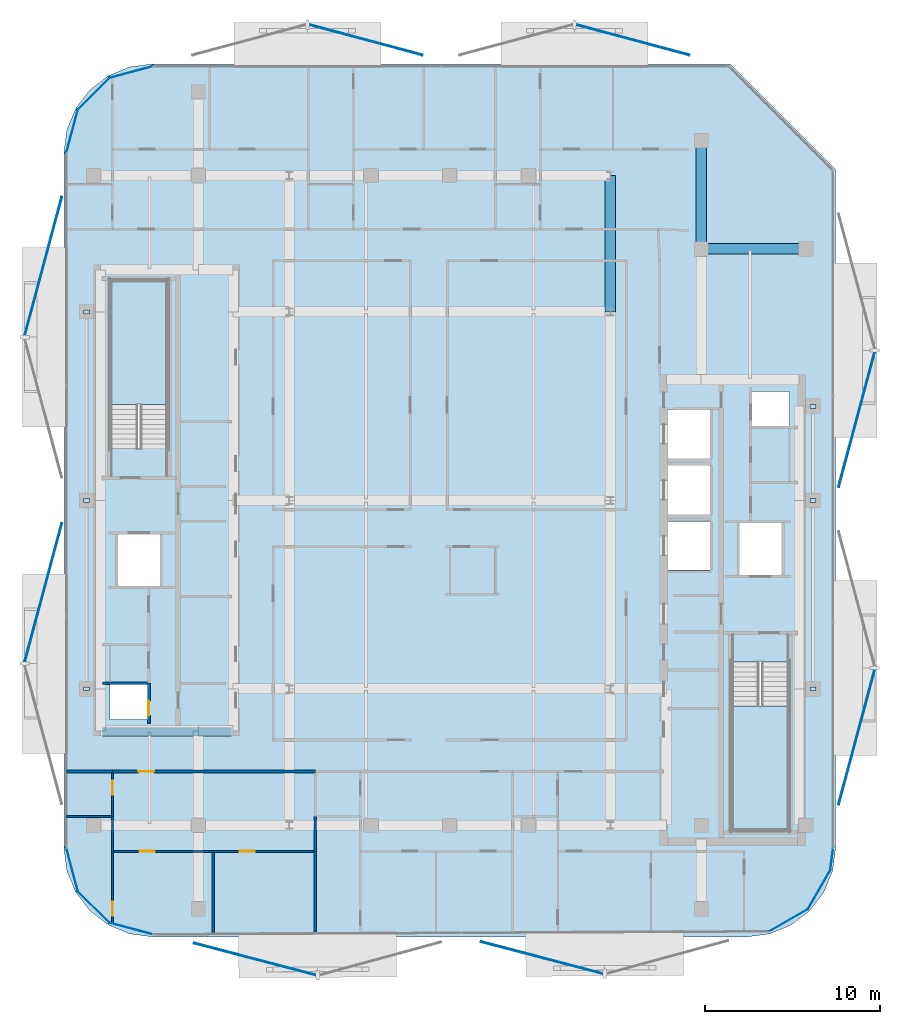
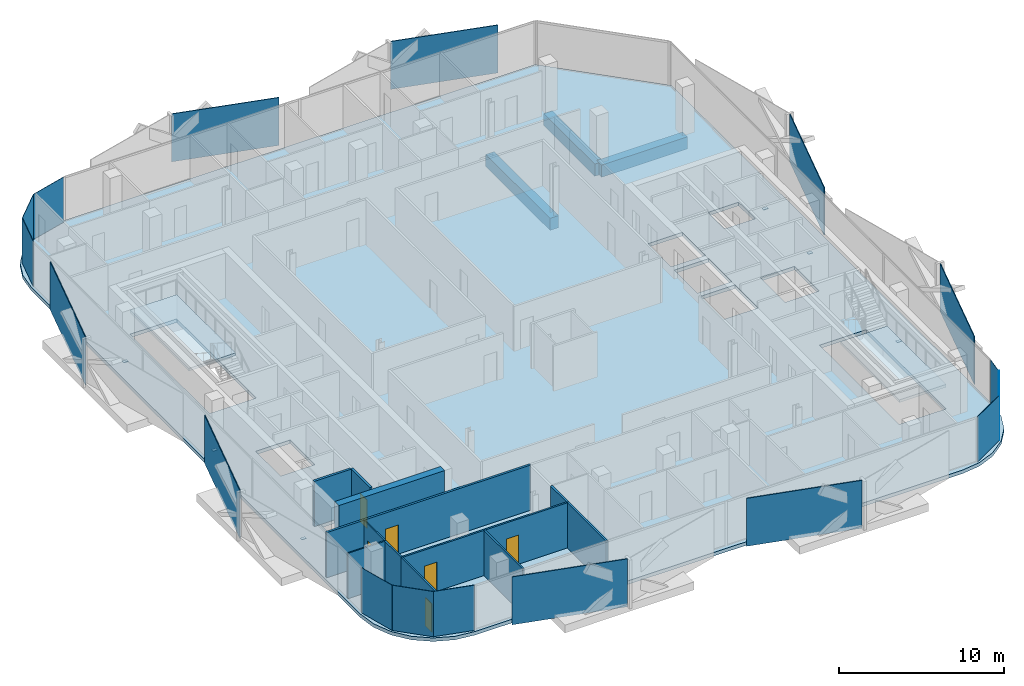
# One storey, part 2 of 16: 23 plates, 14 walls, 6 doors, 3 beams, 3 slabs, 6 openings, 2 elements without a shape of their own.
"""IFC4 building model written with IfcOpenShell, lengths in metres."""

from ifc_helpers import new_model, si_unit, direction, frame, frame_2d, origin, origin_2d, place, context, subcontext, project, spatial, polyline, rectangle, outline, extrude, material, layer, layer_set, material_profile, profile_set, type_object, element, fill, aggregate, save


model = new_model("IFC4")

# Units and contexts
model_context = context("Model", 3, precision=1e-05, world=origin(), true_north=direction((0.0, 1.0)))
body_context = subcontext(model_context, "Body", "Model", "MODEL_VIEW")
ifc_project = project(units=[si_unit("LENGTHUNIT", "METRE"), si_unit("AREAUNIT", "SQUARE_METRE"), si_unit("VOLUMEUNIT", "CUBIC_METRE"), si_unit("PLANEANGLEUNIT", "RADIAN"), si_unit("MASSUNIT", "GRAM", prefix="KILO")], contexts=[model_context])

# Site, building, storey
site_placement = place(None, origin())
site = spatial("IfcSite", under=ifc_project, at=site_placement, CompositionType="ELEMENT")
building_placement = place(site_placement, origin())
building = spatial("IfcBuilding", under=site, at=building_placement, Name="Khairoan Windgate Tower", CompositionType="ELEMENT")
storey_placement = place(building_placement, frame((0.0, 0.0, 247.60009765625)))
storey = spatial("IfcBuildingStorey", under=building, at=storey_placement, Name="L58", CompositionType="ELEMENT", Elevation=247.60009765625)

# Beams
ifc_material_1 = material(Name="Concrete C50/60", Category="concrete")
ifc_material_profile = material_profile(ifc_material_1, rectangle(XDim=0.60009765625, YDim=0.89990234375, at=origin_2d()))
ifc_profile_set = profile_set([ifc_material_profile], Name="Concrete C50/60")
beam_type = type_object("IfcBeamType", Name="Beam B-RC1 RC600x900", PredefinedType="BEAM", material=ifc_profile_set)
beam_1_placement = place(storey_placement, frame((14.39990234375, 14.39990234375, -0.710205078125), z_axis=(1.0, 0.0, 0.0), x_axis=(0.0, 1.0, 0.0)))
element("IfcBeam", 1, at=beam_1_placement, inside=storey, type_object=beam_type, Name="L58 E-W Primary Girder 21", PredefinedType="BEAM", context=body_context, shape_type="SweptSolid", body=[
    extrude(rectangle(XDim=0.60009765625, YDim=0.89990234375, at=origin_2d()), origin(), (0.0, 0.0, 1.0), 6.0),
])
beam_2_placement = place(storey_placement, frame((9.199951171875, 10.800048828125, -0.710205078125), z_axis=(0.0, 1.0, 0.0), x_axis=(-1.0, 0.0, 0.0)))
element("IfcBeam", 2, at=beam_2_placement, inside=storey, type_object=beam_type, Name="L58 N-S Primary Beam 49", PredefinedType="BEAM", context=body_context, shape_type="SweptSolid", body=[
    extrude(rectangle(XDim=0.60009765625, YDim=0.89990234375, at=origin_2d()), origin(), (0.0, 0.0, 1.0), 7.800048828125),
])
beam_3_placement = place(storey_placement, frame((14.39990234375, 14.39990234375, -0.710205078125), z_axis=(0.0, 1.0, 0.0), x_axis=(-1.0, 0.0, 0.0)))
element("IfcBeam", 3, at=beam_3_placement, inside=storey, type_object=beam_type, Name="L58 N-S Primary Beam 53", PredefinedType="BEAM", context=body_context, shape_type="SweptSolid", body=[
    extrude(rectangle(XDim=0.60009765625, YDim=0.89990234375, at=origin_2d()), origin(), (0.0, 0.0, 1.0), 6.2001953125),
])

# Plates
ifc_material_2 = material(Name="Low-E Solar Control Laminated Glass", Category="glass")
ifc_layer_1 = layer(ifc_material_2, 0.030029296875, Name="Low-E Solar Control Laminated Glass")
ifc_layer_set_1 = layer_set([ifc_layer_1], Name="Low-E Solar Control Laminated Glass")
plate_type_1 = type_object("IfcPlateType", Name="Aerodynamic Wind-Corner Curved Glazing Plate", PredefinedType="USERDEFINED", material=ifc_layer_set_1)
plate_1_placement = place(storey_placement, frame((-18.235107421875, -24.527099609375, 0.0), z_axis=(0.0, 0.0, 1.0), x_axis=(-0.966061211211, 0.258313252067, 0.0)))
element("IfcPlate", 4, at=plate_1_placement, inside=storey, type_object=plate_type_1, Name="L58 Aerodynamic Wind-Corner Curved Glazing Panel 2", ObjectType="GLAZING PANEL", PredefinedType="USERDEFINED", context=body_context, shape_type="SweptSolid", body=[
    extrude(rectangle(XDim=2.6162109375, YDim=0.030029296875, at=origin_2d()), origin(), (0.0, 0.0, 1.0), 3.340087890625),
])
plate_2_placement = place(storey_placement, frame((-20.386962890625, -23.286865234375, 0.0), z_axis=(0.0, 0.0, 1.0), x_axis=(-0.707106781187, 0.707106781187, 0.0)))
element("IfcPlate", 5, at=plate_2_placement, inside=storey, type_object=plate_type_1, Name="L58 Aerodynamic Wind-Corner Curved Glazing Panel 3", ObjectType="GLAZING PANEL", PredefinedType="USERDEFINED", context=body_context, shape_type="SweptSolid", body=[
    extrude(rectangle(XDim=2.606689453125, YDim=0.030029296875, at=origin_2d()), origin(), (0.0, 0.0, 1.0), 3.340087890625),
])
for number, where, z_axis, x_axis, name in (
    (6, (-21.627197265625, -21.135009765625, 0.0), (0.0, 0.0, 1.0), (-0.258313252067, 0.966061211211, 0.0), "L58 Aerodynamic Wind-Corner Curved Glazing Panel 4"),
    (7, (-21.627197265625, 21.135009765625, 0.0), (0.0, 0.0, 1.0), (0.258313252067, 0.966061211211, 0.0), "L58 Aerodynamic Wind-Corner Curved Glazing Panel 6"),
):
    element("IfcPlate", number, at=place(storey_placement, frame(where, z_axis=z_axis, x_axis=x_axis)), inside=storey, type_object=plate_type_1, Name=name, ObjectType="GLAZING PANEL", PredefinedType="USERDEFINED", context=body_context, shape_type="SweptSolid", body=[
        extrude(rectangle(XDim=2.6162109375, YDim=0.030029296875, at=origin_2d()), origin(), (0.0, 0.0, 1.0), 3.340087890625),
    ])
plate_3_placement = place(storey_placement, frame((-20.386962890625, 23.286865234375, 0.0), z_axis=(0.0, 0.0, 1.0), x_axis=(0.707106781187, 0.707106781187, 0.0)))
element("IfcPlate", 8, at=plate_3_placement, inside=storey, type_object=plate_type_1, Name="L58 Aerodynamic Wind-Corner Curved Glazing Panel 7", ObjectType="GLAZING PANEL", PredefinedType="USERDEFINED", context=body_context, shape_type="SweptSolid", body=[
    extrude(rectangle(XDim=2.606689453125, YDim=0.030029296875, at=origin_2d()), origin(), (0.0, 0.0, 1.0), 3.340087890625),
])
plate_4_placement = place(storey_placement, frame((-18.235107421875, 24.527099609375, 0.0), z_axis=(0.0, 0.0, 1.0), x_axis=(0.966061211211, 0.258313252067, 0.0)))
element("IfcPlate", 9, at=plate_4_placement, inside=storey, type_object=plate_type_1, Name="L58 Aerodynamic Wind-Corner Curved Glazing Panel 8", ObjectType="GLAZING PANEL", PredefinedType="USERDEFINED", context=body_context, shape_type="SweptSolid", body=[
    extrude(rectangle(XDim=2.6162109375, YDim=0.030029296875, at=origin_2d()), origin(), (0.0, 0.0, 1.0), 3.340087890625),
])
plate_5_placement = place(storey_placement, frame((21.875, -20.537109375, 0.0), z_axis=(0.0, 0.0, 1.0), x_axis=(-0.13052619222, -0.991444861374, 0.0)))
element("IfcPlate", 10, at=plate_5_placement, inside=storey, type_object=plate_type_1, Name="L58 Aerodynamic Wind-Corner Curved Glazing Panel 12", ObjectType="GLAZING PANEL", PredefinedType="USERDEFINED", context=body_context, shape_type="SweptSolid", body=[
    extrude(rectangle(XDim=1.343994140625, YDim=0.030029296875, at=origin_2d()), origin(), (0.0, 0.0, 1.0), 3.340087890625),
])
for number, where, z_axis, x_axis, name in (
    (11, (21.148193359375, -22.294921875, 0.0), (0.0, 0.0, 1.0), (-0.5, -0.866025403784, 0.0), "L58 Aerodynamic Wind-Corner Curved Glazing Panel 13"),
    (12, (19.39501953125, -24.048095703125, 0.0), (0.0, 0.0, 1.0), (-0.866025403784, -0.5, 0.0), "L58 Aerodynamic Wind-Corner Curved Glazing Panel 14"),
):
    element("IfcPlate", number, at=place(storey_placement, frame(where, z_axis=z_axis, x_axis=x_axis)), inside=storey, type_object=plate_type_1, Name=name, ObjectType="GLAZING PANEL", PredefinedType="USERDEFINED", context=body_context, shape_type="SweptSolid", body=[
        extrude(rectangle(XDim=2.606689453125, YDim=0.030029296875, at=origin_2d()), origin(), (0.0, 0.0, 1.0), 3.340087890625),
    ])
ifc_material_3 = material(Name="Steel S355", Category="steel")
ifc_layer_2 = layer(ifc_material_3, 0.0400390625, Name="Steel S355")
ifc_layer_set_2 = layer_set([ifc_layer_2], Name="Steel S355")
plate_type_2 = type_object("IfcPlateType", Name="Hollow Section End-Cap Plate PL-CAP40", PredefinedType="SHEET", material=ifc_layer_set_2)
for number, where, z_axis, x_axis, name in (
    (13, (-20.800048828125, -10.784912109375, -0.43017578125), (0.0, 0.0, 1.0), (0.0, 1.0, 0.0), "BM-SP-L58-028 steel end-cap plate 1"),
    (14, (-20.800048828125, -0.014892578125, -0.43017578125), (0.0, 0.0, 1.0), (0.0, 1.0, 0.0), "BM-SP-L58-028 steel end-cap plate 2"),
    (15, (-20.800048828125, 10.784912109375, -0.43017578125), (0.0, 0.0, 1.0), (0.0, 1.0, 0.0), "BM-SP-L58-029 steel end-cap plate 2"),
    (16, (20.800048828125, -10.784912109375, -0.43017578125), (0.0, 0.0, 1.0), (0.0, 1.0, 0.0), "BM-SP-L58-057 steel end-cap plate 1"),
    (17, (20.800048828125, -0.014892578125, -0.43017578125), (0.0, 0.0, 1.0), (0.0, 1.0, 0.0), "BM-SP-L58-057 steel end-cap plate 2"),
    (18, (20.800048828125, 5.385009765625, -0.43017578125), (0.0, 0.0, 1.0), (0.0, 1.0, 0.0), "BM-SP-L58-058 steel end-cap plate 2"),
):
    element("IfcPlate", number, at=place(storey_placement, frame(where, z_axis=z_axis, x_axis=x_axis)), inside=storey, type_object=plate_type_2, Name=name, PredefinedType="SHEET", context=body_context, shape_type="SweptSolid", body=[
        extrude(rectangle(XDim=0.219970703125, YDim=0.320068359375, at=origin_2d()), origin(), (0.0, 0.0, 1.0), 0.0400390625),
    ])
ifc_material_4 = material(Name="Anodised Bronze Aluminium 6063-T6", Category="aluminium")
ifc_layer_3 = layer(ifc_material_4, 0.054931640625, Name="Anodised Bronze Aluminium 6063-T6")
ifc_layer_set_3 = layer_set([ifc_layer_3], Name="Anodised Bronze Aluminium 6063-T6")
plate_type_3 = type_object("IfcPlateType", Name="Perforated Bronze Solar Screen Upper Panel BSP-2", PredefinedType="USERDEFINED", material=ifc_layer_set_3)
for number, where, z_axis, x_axis, name in (
    (19, (5.289306640625, -26.196533203125, -0.10009765625), (0.0, 0.0, 1.0), (-0.967179115616, 0.254095569259, 0.0), "L58 Perforated Bronze Solar Screen Panel 393R"),
    (20, (-11.14794921875, -26.27587890625, -0.10009765625), (0.0, 0.0, 1.0), (-0.967179115616, 0.254095569259, 0.0), "L58 Perforated Bronze Solar Screen Panel 394R"),
):
    element("IfcPlate", number, at=place(storey_placement, frame(where, z_axis=z_axis, x_axis=x_axis)), inside=storey, type_object=plate_type_3, Name=name, ObjectType="SCREEN", PredefinedType="USERDEFINED", context=body_context, shape_type="SweptSolid", body=[
        extrude(rectangle(XDim=7.23193359375, YDim=0.054931640625, at=origin_2d()), origin(), (0.0, 0.0, 1.0), 3.5400390625),
    ])
for number, where, z_axis, x_axis, name in (
    (21, (-23.275634765625, -5.283447265625, -0.10009765625), (0.0, 0.0, 1.0), (0.258819045103, 0.965925826289, 0.0), "L58 Perforated Bronze Solar Screen Panel 395R"),
    (22, (-23.275634765625, 13.4072265625, -0.10009765625), (0.0, 0.0, 1.0), (0.258819045103, 0.965925826289, 0.0), "L58 Perforated Bronze Solar Screen Panel 396R"),
):
    element("IfcPlate", number, at=place(storey_placement, frame(where, z_axis=z_axis, x_axis=x_axis)), inside=storey, type_object=plate_type_3, Name=name, ObjectType="SCREEN", PredefinedType="USERDEFINED", context=body_context, shape_type="SweptSolid", body=[
        extrude(rectangle(XDim=8.22412109375, YDim=0.054931640625, at=origin_2d()), origin(), (0.0, 0.0, 1.0), 3.5400390625),
    ])
for number, where, z_axis, x_axis, name in (
    (23, (-4.80908203125, 26.36962890625, -0.10009765625), (0.0, 0.0, 1.0), (0.965925826289, -0.258819045103, 0.0), "L58 Perforated Bronze Solar Screen Panel 397R"),
    (24, (10.477294921875, 26.36962890625, -0.10009765625), (0.0, 0.0, 1.0), (0.965925826289, -0.258819045103, 0.0), "L58 Perforated Bronze Solar Screen Panel 398R"),
):
    element("IfcPlate", number, at=place(storey_placement, frame(where, z_axis=z_axis, x_axis=x_axis)), inside=storey, type_object=plate_type_3, Name=name, ObjectType="SCREEN", PredefinedType="USERDEFINED", context=body_context, shape_type="SweptSolid", body=[
        extrude(rectangle(XDim=6.72607421875, YDim=0.054931640625, at=origin_2d()), origin(), (0.0, 0.0, 1.0), 3.5400390625),
    ])
for number, where, z_axis, x_axis, name in (
    (25, (23.304443359375, 4.634033203125, -0.10009765625), (0.0, 0.0, 1.0), (-0.258819045103, -0.965925826289, 0.0), "L58 Perforated Bronze Solar Screen Panel 399R"),
    (26, (23.304443359375, -13.55224609375, -0.10009765625), (0.0, 0.0, 1.0), (-0.258819045103, -0.965925826289, 0.0), "L58 Perforated Bronze Solar Screen Panel 400R"),
):
    element("IfcPlate", number, at=place(storey_placement, frame(where, z_axis=z_axis, x_axis=x_axis)), inside=storey, type_object=plate_type_3, Name=name, ObjectType="SCREEN", PredefinedType="USERDEFINED", context=body_context, shape_type="SweptSolid", body=[
        extrude(rectangle(XDim=8.001953125, YDim=0.054931640625, at=origin_2d()), origin(), (0.0, 0.0, 1.0), 3.5400390625),
    ])

# Stair, slab
ifc_material_5 = material(Name="Concrete C40/50", Category="concrete")
stair_type = type_object("IfcStairType", Name="Tower Core Dog-Leg Stair ST-T1 1560mm", PredefinedType="HALF_TURN_STAIR", material=ifc_material_5)
stair_1_placement = place(storey_placement, origin())
stair_1 = element("IfcStair", 27, at=stair_1_placement, inside=storey, type_object=stair_type, Name="L58 Stair ST1", PredefinedType="HALF_TURN_STAIR")
ifc_material_6 = material(Name="Concrete C40/50", Category="concrete")
ifc_layer_4 = layer(ifc_material_6, 0.199951171875, Name="Concrete C40/50")
ifc_layer_set_4 = layer_set([ifc_layer_4], Name="Concrete C40/50")
slab_type_1 = type_object("IfcSlabType", Name="Reinforced Concrete Stair Landing Slab STL-200", PredefinedType="LANDING", material=ifc_layer_set_4)
slab_1_placement = place(storey_placement, frame((0.0, 0.0, 1.599853515625)))
slab_1 = element("IfcSlab", 28, at=slab_1_placement, type_object=slab_type_1, Name="ST1 landing 1", PredefinedType="LANDING", context=body_context, shape_type="SweptSolid", body=[
    extrude(outline(polyline([(16.14990234375, -11.780029296875), (16.14990234375, -18.89990234375), (19.419921875, -18.89990234375), (19.419921875, -11.780029296875), (16.14990234375, -11.780029296875)])), origin(), (0.0, 0.0, 1.0), 0.199951171875),
])
aggregate(stair_1, [slab_1])

stair_2_placement = place(storey_placement, origin())
stair_2 = element("IfcStair", 29, at=stair_2_placement, inside=storey, type_object=stair_type, Name="L58 Stair ST2", PredefinedType="HALF_TURN_STAIR")
slab_2_placement = place(storey_placement, frame((0.0, 0.0, 1.599853515625)))
slab_2 = element("IfcSlab", 30, at=slab_2_placement, type_object=slab_type_1, Name="ST2 landing 1", PredefinedType="LANDING", context=body_context, shape_type="SweptSolid", body=[
    extrude(outline(polyline([(-16.14990234375, 5.47998046875), (-16.14990234375, 12.60009765625), (-19.419921875, 12.60009765625), (-19.419921875, 5.47998046875), (-16.14990234375, 5.47998046875)])), origin(), (0.0, 0.0, 1.0), 0.199951171875),
])
aggregate(stair_2, [slab_2])

# Slab
ifc_material_7 = material(Name="Concrete C40/50", Category="concrete")
ifc_layer_5 = layer(ifc_material_7, 0.260009765625, Name="Concrete C40/50")
ifc_layer_set_5 = layer_set([ifc_layer_5], Name="Concrete C40/50")
slab_type_2 = type_object("IfcSlabType", Name="Tower Composite Floor Slab FS2 260mm", PredefinedType="FLOOR", material=ifc_layer_set_5)
slab_3_placement = place(storey_placement, frame((0.0, 0.0, -0.260009765625)))
element("IfcSlab", 31, at=slab_3_placement, inside=storey, type_object=slab_type_2, Name="L58 Structural Floor Slab", PredefinedType="FLOOR", context=body_context, shape_type="SweptSolid", body=[
    extrude(outline(polyline([(17.0, -25.0), (18.320068359375, -24.826171875), (19.550048828125, -24.316650390625), (20.606201171875, -23.506103515625), (21.416748046875, -22.449951171875), (21.92626953125, -21.219970703125), (22.10009765625, -19.89990234375), (22.10009765625, 18.93994140625), (16.0400390625, 25.0), (-17.0, 25.0), (-18.320068359375, 24.826171875), (-19.550048828125, 24.316650390625), (-20.606201171875, 23.506103515625), (-21.416748046875, 22.449951171875), (-21.92626953125, 21.219970703125), (-22.10009765625, 19.89990234375), (-22.10009765625, -19.89990234375), (-21.92626953125, -21.219970703125), (-21.416748046875, -22.449951171875), (-20.606201171875, -23.506103515625), (-19.550048828125, -24.316650390625), (-18.320068359375, -24.826171875), (-17.0, -25.0), (17.0, -25.0)]), holes=[polyline([(16.14990234375, -9.260009765625), (16.14990234375, -18.89990234375), (19.419921875, -18.89990234375), (19.419921875, -9.260009765625), (16.14990234375, -9.260009765625)]), polyline([(-16.14990234375, 2.9599609375), (-16.14990234375, 12.60009765625), (-19.419921875, 12.60009765625), (-19.419921875, 2.9599609375), (-16.14990234375, 2.9599609375)]), polyline([(12.5, 2.39990234375), (14.89990234375, 2.39990234375), (14.89990234375, 5.199951171875), (12.5, 5.199951171875), (12.5, 2.39990234375)]), polyline([(12.5, -0.800048828125), (14.89990234375, -0.800048828125), (14.89990234375, 2.0), (12.5, 2.0), (12.5, -0.800048828125)]), polyline([(12.5, -4.0), (14.89990234375, -4.0), (14.89990234375, -1.199951171875), (12.5, -1.199951171875), (12.5, -4.0)]), polyline([(16.60009765625, -4.300048828125), (19.0, -4.300048828125), (19.0, -1.300048828125), (16.60009765625, -1.300048828125), (16.60009765625, -4.300048828125)]), polyline([(-19.0, -4.89990234375), (-16.60009765625, -4.89990234375), (-16.60009765625, -1.89990234375), (-19.0, -1.89990234375), (-19.0, -4.89990234375)]), polyline([(-19.449951171875, -12.550048828125), (-17.31005859375, -12.550048828125), (-17.31005859375, -10.550048828125), (-19.449951171875, -10.550048828125), (-19.449951171875, -12.550048828125)]), polyline([(17.31005859375, 4.25), (19.449951171875, 4.25), (19.449951171875, 6.25), (17.31005859375, 6.25), (17.31005859375, 4.25)])]), origin(), (0.0, 0.0, 1.0), 0.260009765625),
])

# Wall
ifc_material_8 = material(Name="Moisture-Resistant Gypsum Partition", Category="gypsum")
ifc_layer_6 = layer(ifc_material_8, 0.10009765625, Name="Moisture-Resistant Gypsum Partition")
ifc_layer_set_6 = layer_set([ifc_layer_6], Name="Moisture-Resistant Gypsum Partition")
wall_type_1 = type_object("IfcWallType", Name="Bathroom Wet-Area Partition Wall", PredefinedType="PARTITIONING", material=ifc_layer_set_6)
wall_1_placement = place(storey_placement, frame((-21.955078125, -18.10009765625, 0.0), z_axis=(0.0, 0.0, 1.0), x_axis=(1.0, 0.0, 0.0)))
element("IfcWall", 32, at=wall_1_placement, inside=storey, type_object=wall_type_1, Name="L58 Interior Partition 071", PredefinedType="PARTITIONING", context=body_context, shape_type="SweptSolid", body=[
    extrude(rectangle(XDim=2.594970703125, YDim=0.10009765625, at=frame_2d((1.29736328125, 0.0))), origin(), (0.0, 0.0, 1.0), 3.33984375),
])

# Wall, opening, door
wall_2_placement = place(storey_placement, frame((-19.31005859375, -18.10009765625, 0.0), z_axis=(0.0, 0.0, 1.0), x_axis=(0.0, 1.0, 0.0)))
wall_2 = element("IfcWall", 33, at=wall_2_placement, inside=storey, type_object=wall_type_1, Name="L58 Interior Partition 072", PredefinedType="PARTITIONING", context=body_context, shape_type="SweptSolid", body=[
    extrude(rectangle(XDim=2.5, YDim=0.10009765625, at=frame_2d((1.25, 0.0))), origin(), (0.0, 0.0, 1.0), 3.33984375),
])
opening_1_placement = place(wall_2_placement, frame((1.239990234375, 0.0, 0.0)))
opening_1 = element("IfcOpeningElement", 34, at=opening_1_placement, cuts=wall_2, Name="Opening ID-BTH", PredefinedType="OPENING", context=body_context, shape_type="SweptSolid", body=[
    extrude(rectangle(XDim=0.800048828125, YDim=2.10009765625, at=frame_2d((0.39990234375, 1.050048828125))), frame((0.0, 0.06005859375, 0.0), z_axis=(0.0, -1.0, 0.0), x_axis=(1.0, 0.0, 0.0)), (0.0, 0.0, 1.0), 0.1201171875),
])
ifc_material_9 = material(Name="Teak Veneer Timber Leaf", Category="wood")
door_type_1 = type_object("IfcDoorType", Name="Internal Bathroom Door ID-BTH 800x2100", OperationType="NOTDEFINED", PredefinedType="DOOR", material=ifc_material_9)
door_1_placement = place(opening_1_placement, origin())
door_1 = element("IfcDoor", 35, at=door_1_placement, inside=storey, type_object=door_type_1, Name="L58 L58-50-L58-52 Door", OperationType="SINGLE_SWING_RIGHT", OverallHeight=2.10009765625, OverallWidth=0.800048828125, PredefinedType="DOOR", context=body_context, shape_type="SweptSolid", body=[
    extrude(rectangle(XDim=0.800048828125, YDim=2.10009765625, at=frame_2d((0.39990234375, 1.050048828125))), frame((0.0, 0.02490234375, 0.0), z_axis=(0.0, -1.0, 0.0), x_axis=(1.0, 0.0, 0.0)), (0.0, 0.0, 1.0), 0.050048828125),
])
fill(opening_1, door_1)

# Walls
ifc_material_10 = material(Name="Acoustic Fire-Rated Gypsum Partition", Category="gypsum")
ifc_layer_7 = layer(ifc_material_10, 0.139892578125, Name="Acoustic Fire-Rated Gypsum Partition")
ifc_layer_set_7 = layer_set([ifc_layer_7], Name="Acoustic Fire-Rated Gypsum Partition")
wall_type_2 = type_object("IfcWallType", Name="Inter-Tenancy Compartment Wall", PredefinedType="PARTITIONING", material=ifc_layer_set_7)
wall_3_placement = place(storey_placement, frame((-7.699951171875, -20.10009765625, 0.0), z_axis=(0.0, 0.0, 1.0), x_axis=(0.0, 1.0, 0.0)))
element("IfcWall", 36, at=wall_3_placement, inside=storey, type_object=wall_type_2, Name="L58 Interior Partition 078", PredefinedType="PARTITIONING", context=body_context, shape_type="SweptSolid", body=[
    extrude(rectangle(XDim=2.0, YDim=0.139892578125, at=frame_2d((1.0, 0.0))), origin(), (0.0, 0.0, 1.0), 3.33984375),
])
wall_4_placement = place(storey_placement, frame((-7.699951171875, -24.810302734375, 0.0), z_axis=(0.0, 0.0, 1.0), x_axis=(0.0, 1.0, 0.0)))
element("IfcWall", 37, at=wall_4_placement, inside=storey, type_object=wall_type_2, Name="L58 Interior Partition 080", PredefinedType="PARTITIONING", context=body_context, shape_type="SweptSolid", body=[
    extrude(rectangle(XDim=4.710205078125, YDim=0.139892578125, at=frame_2d((2.35498046875, 0.0))), origin(), (0.0, 0.0, 1.0), 3.33984375),
])
ifc_material_11 = material(Name="Gypsum Stud Partition", Category="gypsum")
ifc_layer_8 = layer(ifc_material_11, 0.1201171875, Name="Gypsum Stud Partition")
ifc_layer_set_8 = layer_set([ifc_layer_8], Name="Gypsum Stud Partition")
wall_type_3 = type_object("IfcWallType", Name="Internal Room Partition Wall", PredefinedType="PARTITIONING", material=ifc_layer_set_8)
wall_5_placement = place(storey_placement, frame((-19.31005859375, -20.10009765625, 0.0), z_axis=(0.0, 0.0, 1.0), x_axis=(0.0, 1.0, 0.0)))
element("IfcWall", 38, at=wall_5_placement, inside=storey, type_object=wall_type_3, Name="L58 Interior Partition 073", PredefinedType="PARTITIONING", context=body_context, shape_type="SweptSolid", body=[
    extrude(rectangle(XDim=2.0, YDim=0.1201171875, at=frame_2d((1.0, 0.0))), origin(), (0.0, 0.0, 1.0), 3.33984375),
])

# Wall, opening, door
wall_6_placement = place(storey_placement, frame((-19.31005859375, -24.234619140625, 0.0), z_axis=(0.0, 0.0, 1.0), x_axis=(0.0, 1.0, 0.0)))
wall_6 = element("IfcWall", 39, at=wall_6_placement, inside=storey, type_object=wall_type_3, Name="L58 Interior Partition 074", PredefinedType="PARTITIONING", context=body_context, shape_type="SweptSolid", body=[
    extrude(rectangle(XDim=4.134521484375, YDim=0.1201171875, at=frame_2d((2.0673828125, 0.0))), origin(), (0.0, 0.0, 1.0), 3.33984375),
])
opening_2_placement = place(wall_6_placement, frame((0.4599609375, 0.0, 0.0)))
opening_2 = element("IfcOpeningElement", 40, at=opening_2_placement, cuts=wall_6, Name="Opening ID-BTH", PredefinedType="OPENING", context=body_context, shape_type="SweptSolid", body=[
    extrude(rectangle(XDim=0.800048828125, YDim=2.10009765625, at=frame_2d((0.39990234375, 1.050048828125))), frame((0.0, 0.070068359375, 0.0), z_axis=(0.0, -1.0, 0.0), x_axis=(1.0, 0.0, 0.0)), (0.0, 0.0, 1.0), 0.14013671875),
])
door_2_placement = place(opening_2_placement, origin())
door_2 = element("IfcDoor", 41, at=door_2_placement, inside=storey, type_object=door_type_1, Name="L58 L58-51-L58-53 Door", OperationType="SINGLE_SWING_LEFT", OverallHeight=2.10009765625, OverallWidth=0.800048828125, PredefinedType="DOOR", context=body_context, shape_type="SweptSolid", body=[
    extrude(rectangle(XDim=0.800048828125, YDim=2.10009765625, at=frame_2d((0.39990234375, 1.050048828125))), frame((0.0, 0.02490234375, 0.0), z_axis=(0.0, -1.0, 0.0), x_axis=(1.0, 0.0, 0.0)), (0.0, 0.0, 1.0), 0.050048828125),
])
fill(opening_2, door_2)

wall_7_placement = place(storey_placement, frame((-19.25, -20.10009765625, 0.0), z_axis=(0.0, 0.0, 1.0), x_axis=(1.0, 0.0, 0.0)))
wall_7 = element("IfcWall", 42, at=wall_7_placement, inside=storey, type_object=wall_type_3, Name="L58 Interior Partition 075", PredefinedType="PARTITIONING", context=body_context, shape_type="SweptSolid", body=[
    extrude(rectangle(XDim=5.705078125, YDim=0.1201171875, at=frame_2d((2.8525390625, 0.0))), origin(), (0.0, 0.0, 1.0), 3.33984375),
])
opening_3_placement = place(wall_7_placement, frame((1.492919921875, 0.0, 0.0)))
opening_3 = element("IfcOpeningElement", 43, at=opening_3_placement, cuts=wall_7, Name="Opening ID-RM", PredefinedType="OPENING", context=body_context, shape_type="SweptSolid", body=[
    extrude(rectangle(XDim=0.860107421875, YDim=2.14990234375, at=frame_2d((0.43017578125, 1.074951171875))), frame((0.0, 0.070068359375, 0.0), z_axis=(0.0, -1.0, 0.0), x_axis=(1.0, 0.0, 0.0)), (0.0, 0.0, 1.0), 0.14013671875),
])
ifc_material_12 = material(Name="Teak Veneer Timber Leaf", Category="wood")
door_type_2 = type_object("IfcDoorType", Name="Internal Bedroom and Office Door ID-RM 860x2150", OperationType="NOTDEFINED", PredefinedType="DOOR", material=ifc_material_12)
door_3_placement = place(opening_3_placement, origin())
door_3 = element("IfcDoor", 44, at=door_3_placement, inside=storey, type_object=door_type_2, Name="L58 L58-52-L58-53 Door", OperationType="SINGLE_SWING_RIGHT", OverallHeight=2.14990234375, OverallWidth=0.860107421875, PredefinedType="DOOR", context=body_context, shape_type="SweptSolid", body=[
    extrude(rectangle(XDim=0.860107421875, YDim=2.14990234375, at=frame_2d((0.43017578125, 1.074951171875))), frame((0.0, 0.02490234375, 0.0), z_axis=(0.0, -1.0, 0.0), x_axis=(1.0, 0.0, 0.0)), (0.0, 0.0, 1.0), 0.050048828125),
])
fill(opening_3, door_3)

wall_8_placement = place(storey_placement, frame((-13.544921875, -20.10009765625, 0.0), z_axis=(0.0, 0.0, 1.0), x_axis=(1.0, 0.0, 0.0)))
wall_8 = element("IfcWall", 45, at=wall_8_placement, inside=storey, type_object=wall_type_3, Name="L58 Interior Partition 076", PredefinedType="PARTITIONING", context=body_context, shape_type="SweptSolid", body=[
    extrude(rectangle(XDim=5.77490234375, YDim=0.1201171875, at=frame_2d((2.887451171875, 0.0))), origin(), (0.0, 0.0, 1.0), 3.33984375),
])
opening_4_placement = place(wall_8_placement, frame((1.51123046875, 0.0, 0.0)))
opening_4 = element("IfcOpeningElement", 46, at=opening_4_placement, cuts=wall_8, Name="Opening ID-RM", PredefinedType="OPENING", context=body_context, shape_type="SweptSolid", body=[
    extrude(rectangle(XDim=0.860107421875, YDim=2.14990234375, at=frame_2d((0.43017578125, 1.074951171875))), frame((0.0, 0.070068359375, 0.0), z_axis=(0.0, -1.0, 0.0), x_axis=(1.0, 0.0, 0.0)), (0.0, 0.0, 1.0), 0.14013671875),
])
door_4_placement = place(opening_4_placement, origin())
door_4 = element("IfcDoor", 47, at=door_4_placement, inside=storey, type_object=door_type_2, Name="L58 L58-52-L58-54 Door", OperationType="SINGLE_SWING_LEFT", OverallHeight=2.14990234375, OverallWidth=0.860107421875, PredefinedType="DOOR", context=body_context, shape_type="SweptSolid", body=[
    extrude(rectangle(XDim=0.860107421875, YDim=2.14990234375, at=frame_2d((0.43017578125, 1.074951171875))), frame((0.0, 0.02490234375, 0.0), z_axis=(0.0, -1.0, 0.0), x_axis=(1.0, 0.0, 0.0)), (0.0, 0.0, 1.0), 0.050048828125),
])
fill(opening_4, door_4)

# Wall
wall_9_placement = place(storey_placement, frame((-13.544921875, -24.83837890625, 0.0), z_axis=(0.0, 0.0, 1.0), x_axis=(0.0, 1.0, 0.0)))
element("IfcWall", 48, at=wall_9_placement, inside=storey, type_object=wall_type_3, Name="L58 Interior Partition 079", PredefinedType="PARTITIONING", context=body_context, shape_type="SweptSolid", body=[
    extrude(rectangle(XDim=4.678466796875, YDim=0.1201171875, at=frame_2d((2.33935546875, 0.0))), origin(), (0.0, 0.0, 1.0), 3.33984375),
])

# Wall, opening, door
ifc_material_13 = material(Name="Concrete C40/50", Category="concrete")
ifc_layer_9 = layer(ifc_material_13, 0.159912109375, Name="Concrete C40/50")
ifc_layer_set_9 = layer_set([ifc_layer_9], Name="Concrete C40/50")
wall_type_4 = type_object("IfcWallType", Name="Plant and Refuge Compartment Wall", PredefinedType="PARTITIONING", material=ifc_layer_set_9)
wall_10_placement = place(storey_placement, frame((-17.22998046875, -12.7900390625, 0.0), z_axis=(0.0, 0.0, 1.0), x_axis=(0.0, 1.0, 0.0)))
wall_10 = element("IfcWall", 49, at=wall_10_placement, inside=storey, type_object=wall_type_4, Name="L58 Interior Partition 001", PredefinedType="PARTITIONING", context=body_context, shape_type="SweptSolid", body=[
    extrude(rectangle(XDim=2.320068359375, YDim=0.159912109375, at=frame_2d((1.16015625, 0.0))), origin(), (0.0, 0.0, 1.0), 3.33984375),
])
opening_5_placement = place(wall_10_placement, frame((0.4599609375, 0.0, 0.0)))
opening_5 = element("IfcOpeningElement", 50, at=opening_5_placement, cuts=wall_10, Name="Opening FD-SRV", PredefinedType="OPENING", context=body_context, shape_type="SweptSolid", body=[
    extrude(rectangle(XDim=0.85009765625, YDim=2.10009765625, at=frame_2d((0.425048828125, 1.050048828125))), frame((0.0, 0.08984375, 0.0), z_axis=(0.0, -1.0, 0.0), x_axis=(1.0, 0.0, 0.0)), (0.0, 0.0, 1.0), 0.179931640625),
])
ifc_material_14 = material(Name="Steel S355", Category="steel")
door_type_3 = type_object("IfcDoorType", Name="Core Service and Riser Fire Door FD-SRV 850x2100", OperationType="NOTDEFINED", PredefinedType="DOOR", material=ifc_material_14)
door_5_placement = place(opening_5_placement, origin())
door_5 = element("IfcDoor", 51, at=door_5_placement, inside=storey, type_object=door_type_3, Name="L58 L58-04-L58-05 Door", OperationType="SINGLE_SWING_RIGHT", OverallHeight=2.10009765625, OverallWidth=0.85009765625, PredefinedType="DOOR", context=body_context, shape_type="SweptSolid", body=[
    extrude(rectangle(XDim=0.85009765625, YDim=2.10009765625, at=frame_2d((0.425048828125, 1.050048828125))), frame((0.0, 0.02490234375, 0.0), z_axis=(0.0, -1.0, 0.0), x_axis=(1.0, 0.0, 0.0)), (0.0, 0.0, 1.0), 0.050048828125),
])
fill(opening_5, door_5)

# Walls
wall_11_placement = place(storey_placement, frame((-19.89990234375, -10.469970703125, 0.0), z_axis=(0.0, 0.0, 1.0), x_axis=(1.0, 0.0, 0.0)))
element("IfcWall", 52, at=wall_11_placement, inside=storey, type_object=wall_type_4, Name="L58 Interior Partition 004", PredefinedType="PARTITIONING", context=body_context, shape_type="SweptSolid", body=[
    extrude(rectangle(XDim=2.58984375, YDim=0.159912109375, at=frame_2d((1.294921875, 0.0))), origin(), (0.0, 0.0, 1.0), 3.33984375),
])
ifc_material_15 = material(Name="Acoustic Fire-Rated Gypsum Partition", Category="gypsum")
ifc_layer_10 = layer(ifc_material_15, 0.14990234375, Name="Acoustic Fire-Rated Gypsum Partition")
ifc_layer_set_10 = layer_set([ifc_layer_10], Name="Acoustic Fire-Rated Gypsum Partition")
wall_type_5 = type_object("IfcWallType", Name="Rated Corridor Partition Wall", PredefinedType="PARTITIONING", material=ifc_layer_set_10)
wall_12_placement = place(storey_placement, frame((-21.955078125, -15.52490234375, 0.0), z_axis=(0.0, 0.0, 1.0), x_axis=(1.0, 0.0, 0.0)))
element("IfcWall", 53, at=wall_12_placement, inside=storey, type_object=wall_type_5, Name="L58 Interior Partition 035", PredefinedType="PARTITIONING", context=body_context, shape_type="SweptSolid", body=[
    extrude(rectangle(XDim=2.64501953125, YDim=0.14990234375, at=frame_2d((1.322509765625, 0.0))), origin(), (0.0, 0.0, 1.0), 3.33984375),
])

# Wall, opening, door
wall_13_placement = place(storey_placement, frame((-19.31005859375, -15.52490234375, 0.0), z_axis=(0.0, 0.0, 1.0), x_axis=(1.0, 0.0, 0.0)))
wall_13 = element("IfcWall", 54, at=wall_13_placement, inside=storey, type_object=wall_type_5, Name="L58 Interior Partition 036", PredefinedType="PARTITIONING", context=body_context, shape_type="SweptSolid", body=[
    extrude(rectangle(XDim=11.610107421875, YDim=0.14990234375, at=frame_2d((5.80517578125, 0.0))), origin(), (0.0, 0.0, 1.0), 3.33984375),
])
opening_6_placement = place(wall_13_placement, frame((1.479736328125, 0.0, 0.0)))
opening_6 = element("IfcOpeningElement", 55, at=opening_6_placement, cuts=wall_13, Name="Opening FD-ENT", PredefinedType="OPENING", context=body_context, shape_type="SweptSolid", body=[
    extrude(rectangle(XDim=0.89990234375, YDim=2.14990234375, at=frame_2d((0.449951171875, 1.074951171875))), frame((0.0, 0.0849609375, 0.0), z_axis=(0.0, -1.0, 0.0), x_axis=(1.0, 0.0, 0.0)), (0.0, 0.0, 1.0), 0.169921875),
])
ifc_material_16 = material(Name="Timber Fire-Rated Core", Category="wood")
door_type_4 = type_object("IfcDoorType", Name="Unit and Office Fire Entrance Door FD-ENT 900x2150", OperationType="NOTDEFINED", PredefinedType="DOOR", material=ifc_material_16)
door_6_placement = place(opening_6_placement, origin())
door_6 = element("IfcDoor", 56, at=door_6_placement, inside=storey, type_object=door_type_4, Name="L58 L58-34-L58-52 Door", OperationType="SINGLE_SWING_LEFT", OverallHeight=2.14990234375, OverallWidth=0.89990234375, PredefinedType="DOOR", context=body_context, shape_type="SweptSolid", body=[
    extrude(rectangle(XDim=0.89990234375, YDim=2.14990234375, at=frame_2d((0.449951171875, 1.074951171875))), frame((0.0, 0.02490234375, 0.0), z_axis=(0.0, -1.0, 0.0), x_axis=(1.0, 0.0, 0.0)), (0.0, 0.0, 1.0), 0.050048828125),
])
fill(opening_6, door_6)

# Wall
ifc_material_17 = material(Name="Concrete C50/60", Category="concrete")
ifc_layer_11 = layer(ifc_material_17, 0.5, Name="Concrete C50/60")
ifc_layer_set_11 = layer_set([ifc_layer_11], Name="Concrete C50/60")
wall_type_6 = type_object("IfcWallType", Name="Shear Wall CW-W3 500mm", PredefinedType="SHEAR", material=ifc_layer_set_11)
wall_14_placement = place(storey_placement, frame((-19.89990234375, -13.25, 0.0), z_axis=(0.0, 0.0, 1.0), x_axis=(1.0, 0.0, 0.0)))
element("IfcWall", 57, at=wall_14_placement, inside=storey, type_object=wall_type_6, Name="W Core South Shear Wall L58", PredefinedType="SHEAR", context=body_context, shape_type="SweptSolid", body=[
    extrude(rectangle(XDim=7.39990234375, YDim=0.5, at=frame_2d((3.699951171875, 0.0))), origin(), (0.0, 0.0, 1.0), 3.33984375),
])

save(model, "model.ifc")
